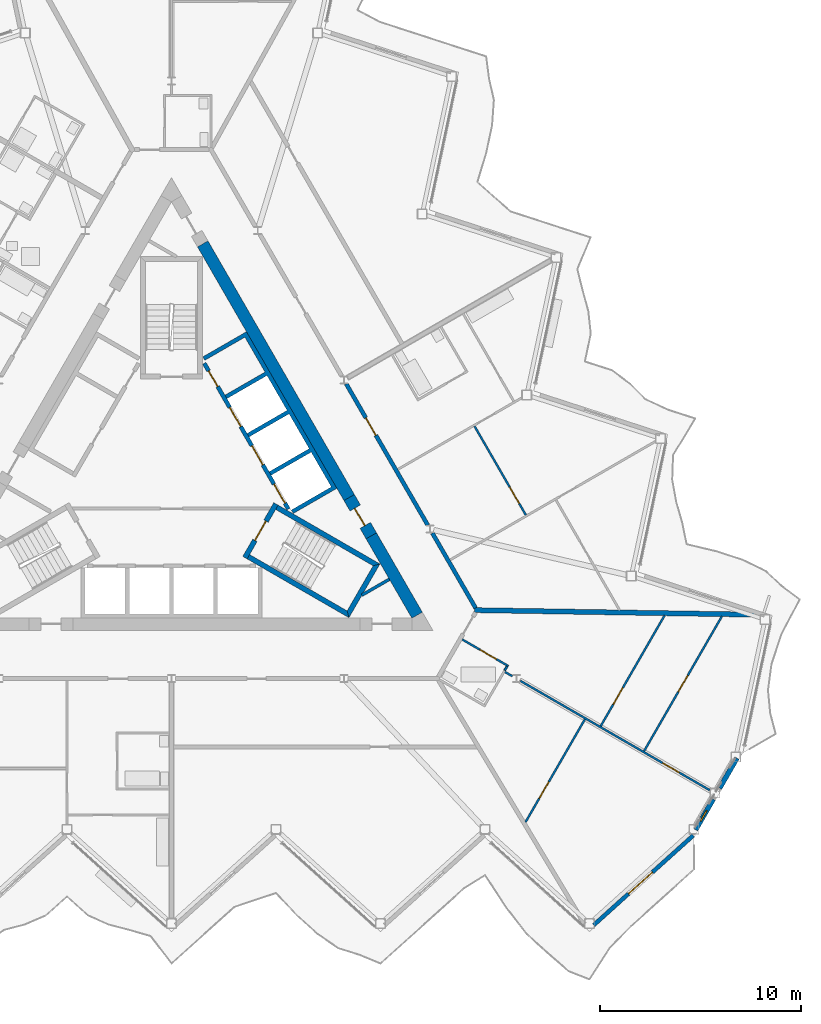
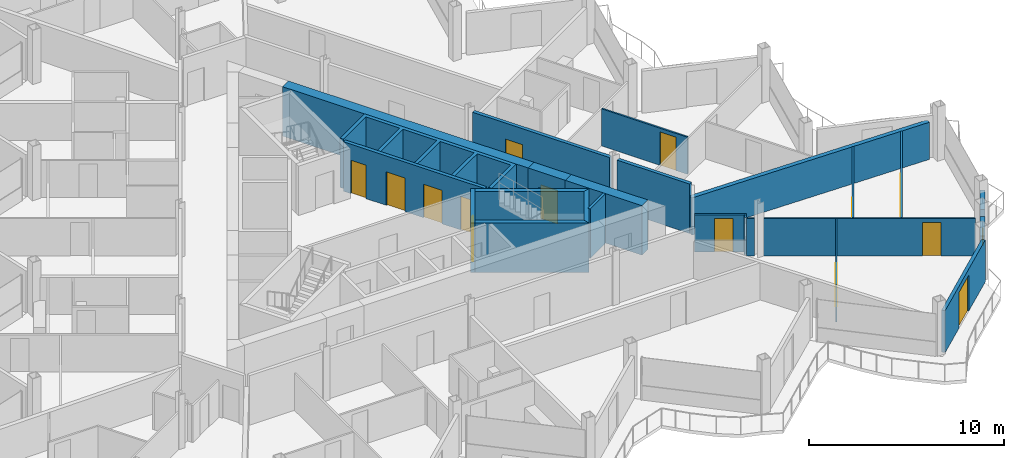
# One storey, part 15 of 26: 24 walls, 14 doors, 1 window, 15 openings.
"""IFC4 building model written with IfcOpenShell, lengths in metres."""

from ifc_helpers import new_model, si_unit, direction, frame, frame_2d, origin, place, context, subcontext, project, spatial, polyline, rectangle, outline, extrude, material, layer, layer_set, type_object, element, fill, save


model = new_model("IFC4")

# Units and contexts
model_context = context("Model", 3, precision=1e-05, world=origin(), true_north=direction((0.0, 1.0)))
body_context = subcontext(model_context, "Body", "Model", "MODEL_VIEW")
ifc_project = project(units=[si_unit("LENGTHUNIT", "METRE"), si_unit("AREAUNIT", "SQUARE_METRE"), si_unit("VOLUMEUNIT", "CUBIC_METRE"), si_unit("PLANEANGLEUNIT", "RADIAN"), si_unit("MASSUNIT", "GRAM", prefix="KILO")], contexts=[model_context])

# Site, building, storey
site_placement = place(None, origin())
site = spatial("IfcSite", under=ifc_project, at=site_placement, CompositionType="ELEMENT")
building_placement = place(site_placement, origin())
building = spatial("IfcBuilding", under=site, at=building_placement, Name="Cormorant Prow Tower", CompositionType="ELEMENT")
storey_placement = place(building_placement, frame((0.0, 0.0, 381.39990234375)))
storey = spatial("IfcBuildingStorey", under=building, at=storey_placement, Name="L86", CompositionType="ELEMENT", Elevation=381.39990234375)

# Walls
ifc_material_1 = material(Name="Gypsum board partition")
ifc_layer_1 = layer(ifc_material_1, 0.14990234375)
ifc_layer_set_1 = layer_set([ifc_layer_1], Name="Gypsum board partition")
wall_type_1 = type_object("IfcWallType", Name="Core partition 150", PredefinedType="PARTITIONING", material=ifc_layer_set_1)
wall_1_placement = place(storey_placement, frame((10.841796875, -4.96728515625, 0.0), z_axis=(0.0, 0.0, 1.0), x_axis=(-0.866098216386, -0.499873863663, 0.0)))
element("IfcWall", 1, at=wall_1_placement, inside=storey, type_object=wall_type_1, Name="Service room partition", PredefinedType="PARTITIONING", context=body_context, shape_type="SweptSolid", body=[
    extrude(rectangle(XDim=1.58203125, YDim=0.14990234375, at=frame_2d((0.791015625, 0.0))), origin(), (0.0, 0.0, 1.0), 3.10009765625),
])
ifc_material_2 = material(Name="Concrete 8000 psi", Category="concrete")
ifc_layer_2 = layer(ifc_material_2, 0.60009765625)
ifc_layer_set_2 = layer_set([ifc_layer_2], Name="Concrete 8000 psi")
wall_type_2 = type_object("IfcWallType", Name="Core shear wall 600", PredefinedType="SHEAR", material=ifc_layer_set_2)
wall_2_placement = place(storey_placement, frame((8.841064453125, -0.902099609375, 0.0), z_axis=(0.0, 0.0, 1.0), x_axis=(-0.499995618375, 0.866027933502, 0.0)))
element("IfcWall", 2, at=wall_2_placement, inside=storey, type_object=wall_type_2, Name="Core wall", PredefinedType="SHEAR", context=body_context, shape_type="SweptSolid", body=[
    extrude(rectangle(XDim=14.570556640625, YDim=0.60009765625, at=frame_2d((7.28515625, 0.0))), origin(), (0.0, 0.0, 1.0), 3.10009765625),
])
wall_3_placement = place(storey_placement, frame((12.220703125, -6.755615234375, 0.0), z_axis=(0.0, 0.0, 1.0), x_axis=(-0.500020646047, 0.866013483456, 0.0)))
element("IfcWall", 3, at=wall_3_placement, inside=storey, type_object=wall_type_2, Name="Core wall", PredefinedType="SHEAR", context=body_context, shape_type="SweptSolid", body=[
    extrude(rectangle(XDim=4.559326171875, YDim=0.60009765625, at=frame_2d((2.27978515625, 0.0))), origin(), (0.0, 0.0, 1.0), 3.10009765625),
])

# Wall, opening, door
wall_4_placement = place(storey_placement, frame((9.94091796875, -2.80712890625, 0.0), z_axis=(0.0, 0.0, 1.0), x_axis=(-0.499994660107, 0.866028486751, 0.0)))
wall_4 = element("IfcWall", 4, at=wall_4_placement, inside=storey, type_object=wall_type_2, Name="Core wall door panel", PredefinedType="SHEAR", context=body_context, shape_type="SweptSolid", body=[
    extrude(rectangle(XDim=2.19970703125, YDim=0.60009765625, at=frame_2d((1.099853515625, 0.0))), origin(), (0.0, 0.0, 1.0), 3.10009765625),
])
opening_1_placement = place(wall_4_placement, frame((0.60009765625, 0.0, 0.0)))
opening_1 = element("IfcOpeningElement", 5, at=opening_1_placement, cuts=wall_4, Name="Opening L86-C17", PredefinedType="OPENING", context=body_context, shape_type="SweptSolid", body=[
    extrude(rectangle(XDim=1.0, YDim=2.10009765625, at=frame_2d((0.5, 1.050048828125))), frame((0.0, 0.31005859375, 0.0), z_axis=(0.0, -1.0, 0.0), x_axis=(1.0, 0.0, 0.0)), (0.0, 0.0, 1.0), 0.6201171875),
])
ifc_material_3 = material(Name="Painted steel", Category="steel")
door_type_1 = type_object("IfcDoorType", Name="Service door 1000x2100", OperationType="NOTDEFINED", PredefinedType="DOOR", material=ifc_material_3)
door_1_placement = place(opening_1_placement, origin())
door_1 = element("IfcDoor", 6, at=door_1_placement, inside=storey, type_object=door_type_1, Name="Core door, Electrical room", OperationType="SINGLE_SWING_LEFT", OverallHeight=2.10009765625, OverallWidth=1.0, PredefinedType="DOOR", context=body_context, shape_type="SweptSolid", body=[
    extrude(rectangle(XDim=1.0, YDim=2.10009765625, at=frame_2d((0.5, 1.050048828125))), frame((0.0, 0.05517578125, 0.0), z_axis=(0.0, -1.0, 0.0), x_axis=(1.0, 0.0, 0.0)), (0.0, 0.0, 1.0), 0.050048828125),
])
fill(opening_1, door_1)

ifc_material_4 = material(Name="Gypsum board corridor wall")
ifc_layer_3 = layer(ifc_material_4, 0.199951171875)
ifc_layer_set_3 = layer_set([ifc_layer_3], Name="Gypsum board corridor wall")
wall_type_3 = type_object("IfcWallType", Name="Corridor wall 200", PredefinedType="PARTITIONING", material=ifc_layer_set_3)
wall_5_placement = place(storey_placement, frame((8.692138671875, 4.755859375, 0.0), z_axis=(0.0, 0.0, 1.0), x_axis=(0.500001682468, -0.866024432409, 0.0)))
wall_5 = element("IfcWall", 7, at=wall_5_placement, inside=storey, type_object=wall_type_3, Name="Corridor wall", PredefinedType="PARTITIONING", context=body_context, shape_type="SweptSolid", body=[
    extrude(rectangle(XDim=8.12353515625, YDim=0.199951171875, at=frame_2d((4.061767578125, 0.0))), origin(), (0.0, 0.0, 1.0), 3.10009765625),
])
opening_2_placement = place(wall_5_placement, frame((1.9560546875, 0.0, 0.0)))
opening_2 = element("IfcOpeningElement", 8, at=opening_2_placement, cuts=wall_5, Name="Opening L86-F16", PredefinedType="OPENING", context=body_context, shape_type="SweptSolid", body=[
    extrude(rectangle(XDim=1.0, YDim=2.10009765625, at=frame_2d((0.5, 1.050048828125))), frame((0.0, 0.10986328125, 0.0), z_axis=(0.0, -1.0, 0.0), x_axis=(1.0, 0.0, 0.0)), (0.0, 0.0, 1.0), 0.219970703125),
])
ifc_material_5 = material(Name="Timber door leaf", Category="wood")
door_type_2 = type_object("IfcDoorType", Name="Flat or room entrance door 1000x2100", OperationType="NOTDEFINED", PredefinedType="DOOR", material=ifc_material_5)
door_2_placement = place(opening_2_placement, origin())
door_2 = element("IfcDoor", 9, at=door_2_placement, inside=storey, type_object=door_type_2, Name="Living room door", OperationType="SINGLE_SWING_RIGHT", OverallHeight=2.10009765625, OverallWidth=1.0, PredefinedType="DOOR", context=body_context, shape_type="SweptSolid", body=[
    extrude(rectangle(XDim=1.0, YDim=2.10009765625, at=frame_2d((0.5, 1.050048828125))), frame((0.0, 0.02490234375, 0.0), z_axis=(0.0, -1.0, 0.0), x_axis=(1.0, 0.0, 0.0)), (0.0, 0.0, 1.0), 0.050048828125),
])
fill(opening_2, door_2)

# Wall
wall_6_placement = place(storey_placement, frame((12.9814453125, -2.67333984375, 0.0), z_axis=(0.0, 0.0, 1.0), x_axis=(0.499986217557, -0.866033360935, 0.0)))
element("IfcWall", 10, at=wall_6_placement, inside=storey, type_object=wall_type_3, Name="Corridor wall", PredefinedType="PARTITIONING", context=body_context, shape_type="SweptSolid", body=[
    extrude(rectangle(XDim=4.2998046875, YDim=0.199951171875, at=frame_2d((2.14990234375, 0.0))), origin(), (0.0, 0.0, 1.0), 3.10009765625),
])

# Wall, opening, door
ifc_material_6 = material(Name="Gypsum board partition")
ifc_layer_4 = layer(ifc_material_6, 0.10009765625)
ifc_layer_set_4 = layer_set([ifc_layer_4], Name="Gypsum board partition")
wall_type_4 = type_object("IfcWallType", Name="Internal partition 100", PredefinedType="PARTITIONING", material=ifc_layer_set_4)
wall_7_placement = place(storey_placement, frame((17.35400390625, -10.019287109375, 0.0), z_axis=(0.0, 0.0, 1.0), x_axis=(0.866019680922, -0.500009912158, 0.0)))
wall_7 = element("IfcWall", 11, at=wall_7_placement, inside=storey, type_object=wall_type_4, Name="Internal partition", PredefinedType="PARTITIONING", context=body_context, shape_type="SweptSolid", body=[
    extrude(rectangle(XDim=10.880615234375, YDim=0.10009765625, at=frame_2d((5.4404296875, 0.0))), origin(), (0.0, 0.0, 1.0), 2.330078125),
])
opening_3_placement = place(wall_7_placement, frame((8.17578125, 0.0, 0.0)))
opening_3 = element("IfcOpeningElement", 12, at=opening_3_placement, cuts=wall_7, Name="Opening L86-F14", PredefinedType="OPENING", context=body_context, shape_type="SweptSolid", body=[
    extrude(rectangle(XDim=0.949951171875, YDim=2.10009765625, at=frame_2d((0.47509765625, 1.050048828125))), frame((0.0, 0.06005859375, 0.0), z_axis=(0.0, -1.0, 0.0), x_axis=(1.0, 0.0, 0.0)), (0.0, 0.0, 1.0), 0.1201171875),
])
ifc_material_7 = material(Name="Timber door leaf", Category="wood")
door_type_3 = type_object("IfcDoorType", Name="Bathroom door 950x2100", OperationType="NOTDEFINED", PredefinedType="DOOR", material=ifc_material_7)
door_3_placement = place(opening_3_placement, origin())
door_3 = element("IfcDoor", 13, at=door_3_placement, inside=storey, type_object=door_type_3, Name="Dining room door", OperationType="SINGLE_SWING_LEFT", OverallHeight=2.10009765625, OverallWidth=0.949951171875, PredefinedType="DOOR", context=body_context, shape_type="SweptSolid", body=[
    extrude(rectangle(XDim=0.949951171875, YDim=2.10009765625, at=frame_2d((0.47509765625, 1.050048828125))), frame((0.0, 0.02490234375, 0.0), z_axis=(0.0, -1.0, 0.0), x_axis=(1.0, 0.0, 0.0)), (0.0, 0.0, 1.0), 0.050048828125),
])
fill(opening_3, door_3)

wall_8_placement = place(storey_placement, frame((23.51171875, -13.516845703125, 0.0), z_axis=(0.0, 0.0, 1.0), x_axis=(0.49998445949, 0.866034375916, 0.0)))
wall_8 = element("IfcWall", 14, at=wall_8_placement, inside=storey, type_object=wall_type_4, Name="Internal partition", PredefinedType="PARTITIONING", context=body_context, shape_type="SweptSolid", body=[
    extrude(rectangle(XDim=7.743408203125, YDim=0.10009765625, at=frame_2d((3.87158203125, 0.0))), origin(), (0.0, 0.0, 1.0), 2.330078125),
])
opening_4_placement = place(wall_8_placement, frame((3.396728515625, 0.0, 0.0)))
opening_4 = element("IfcOpeningElement", 15, at=opening_4_placement, cuts=wall_8, Name="Opening L86-F13", PredefinedType="OPENING", context=body_context, shape_type="SweptSolid", body=[
    extrude(rectangle(XDim=0.949951171875, YDim=2.10009765625, at=frame_2d((0.47509765625, 1.050048828125))), frame((0.0, 0.06005859375, 0.0), z_axis=(0.0, -1.0, 0.0), x_axis=(1.0, 0.0, 0.0)), (0.0, 0.0, 1.0), 0.1201171875),
])
door_4_placement = place(opening_4_placement, origin())
door_4 = element("IfcDoor", 16, at=door_4_placement, inside=storey, type_object=door_type_3, Name="Kitchen door", OperationType="SINGLE_SWING_LEFT", OverallHeight=2.10009765625, OverallWidth=0.949951171875, PredefinedType="DOOR", context=body_context, shape_type="SweptSolid", body=[
    extrude(rectangle(XDim=0.949951171875, YDim=2.10009765625, at=frame_2d((0.47509765625, 1.050048828125))), frame((0.0, 0.02490234375, 0.0), z_axis=(0.0, -1.0, 0.0), x_axis=(1.0, 0.0, 0.0)), (0.0, 0.0, 1.0), 0.050048828125),
])
fill(opening_4, door_4)

wall_9_placement = place(storey_placement, frame((21.3544921875, -12.271240234375, 0.0), z_axis=(0.0, 0.0, 1.0), x_axis=(0.499983931063, 0.866034680991, 0.0)))
wall_9 = element("IfcWall", 17, at=wall_9_placement, inside=storey, type_object=wall_type_4, Name="Internal partition", PredefinedType="PARTITIONING", context=body_context, shape_type="SweptSolid", body=[
    extrude(rectangle(XDim=6.358154296875, YDim=0.10009765625, at=frame_2d((3.17919921875, 0.0))), origin(), (0.0, 0.0, 1.0), 2.330078125),
])
opening_5_placement = place(wall_9_placement, frame((1.251708984375, 0.0, 0.0)))
opening_5 = element("IfcOpeningElement", 18, at=opening_5_placement, cuts=wall_9, Name="Opening L86-F12", PredefinedType="OPENING", context=body_context, shape_type="SweptSolid", body=[
    extrude(rectangle(XDim=0.949951171875, YDim=2.10009765625, at=frame_2d((0.47509765625, 1.050048828125))), frame((0.0, 0.06005859375, 0.0), z_axis=(0.0, -1.0, 0.0), x_axis=(1.0, 0.0, 0.0)), (0.0, 0.0, 1.0), 0.1201171875),
])
door_5_placement = place(opening_5_placement, origin())
door_5 = element("IfcDoor", 19, at=door_5_placement, inside=storey, type_object=door_type_3, Name="Living room door", OperationType="SINGLE_SWING_LEFT", OverallHeight=2.10009765625, OverallWidth=0.949951171875, PredefinedType="DOOR", context=body_context, shape_type="SweptSolid", body=[
    extrude(rectangle(XDim=0.949951171875, YDim=2.10009765625, at=frame_2d((0.47509765625, 1.050048828125))), frame((0.0, 0.02490234375, 0.0), z_axis=(0.0, -1.0, 0.0), x_axis=(1.0, 0.0, 0.0)), (0.0, 0.0, 1.0), 0.050048828125),
])
fill(opening_5, door_5)

wall_10_placement = place(storey_placement, frame((17.61279296875, -17.05078125, 0.0), z_axis=(0.0, 0.0, 1.0), x_axis=(0.499982307286, 0.866035618437, 0.0)))
wall_10 = element("IfcWall", 20, at=wall_10_placement, inside=storey, type_object=wall_type_4, Name="Internal partition", PredefinedType="PARTITIONING", context=body_context, shape_type="SweptSolid", body=[
    extrude(rectangle(XDim=5.909912109375, YDim=0.10009765625, at=frame_2d((2.955078125, 0.0))), origin(), (0.0, 0.0, 1.0), 2.330078125),
])
opening_6_placement = place(wall_10_placement, frame((1.364990234375, 0.0, 0.0)))
opening_6 = element("IfcOpeningElement", 21, at=opening_6_placement, cuts=wall_10, Name="Opening L86-F15", PredefinedType="OPENING", context=body_context, shape_type="SweptSolid", body=[
    extrude(rectangle(XDim=0.949951171875, YDim=2.10009765625, at=frame_2d((0.47509765625, 1.050048828125))), frame((0.0, 0.06005859375, 0.0), z_axis=(0.0, -1.0, 0.0), x_axis=(1.0, 0.0, 0.0)), (0.0, 0.0, 1.0), 0.1201171875),
])
door_6_placement = place(opening_6_placement, origin())
door_6 = element("IfcDoor", 22, at=door_6_placement, inside=storey, type_object=door_type_3, Name="Principal bedroom door", OperationType="SINGLE_SWING_LEFT", OverallHeight=2.10009765625, OverallWidth=0.949951171875, PredefinedType="DOOR", context=body_context, shape_type="SweptSolid", body=[
    extrude(rectangle(XDim=0.949951171875, YDim=2.10009765625, at=frame_2d((0.47509765625, 1.050048828125))), frame((0.0, 0.02490234375, 0.0), z_axis=(0.0, -1.0, 0.0), x_axis=(1.0, 0.0, 0.0)), (0.0, 0.0, 1.0), 0.050048828125),
])
fill(opening_6, door_6)

wall_11_placement = place(storey_placement, frame((15.07958984375, 2.64404296875, 0.0), z_axis=(0.0, 0.0, 1.0), x_axis=(0.500005610874, -0.86602216432, 0.0)))
wall_11 = element("IfcWall", 23, at=wall_11_placement, inside=storey, type_object=wall_type_4, Name="Internal partition", PredefinedType="PARTITIONING", context=body_context, shape_type="SweptSolid", body=[
    extrude(rectangle(XDim=5.10009765625, YDim=0.10009765625, at=frame_2d((2.550048828125, 0.0))), origin(), (0.0, 0.0, 1.0), 2.330078125),
])
opening_7_placement = place(wall_11_placement, frame((3.494384765625, 0.0, 0.0)))
opening_7 = element("IfcOpeningElement", 24, at=opening_7_placement, cuts=wall_11, Name="Opening L86-F20", PredefinedType="OPENING", context=body_context, shape_type="SweptSolid", body=[
    extrude(rectangle(XDim=0.949951171875, YDim=2.10009765625, at=frame_2d((0.47509765625, 1.050048828125))), frame((0.0, 0.06005859375, 0.0), z_axis=(0.0, -1.0, 0.0), x_axis=(1.0, 0.0, 0.0)), (0.0, 0.0, 1.0), 0.1201171875),
])
door_7_placement = place(opening_7_placement, origin())
door_7 = element("IfcDoor", 25, at=door_7_placement, inside=storey, type_object=door_type_3, Name="Bedroom door", OperationType="SINGLE_SWING_RIGHT", OverallHeight=2.10009765625, OverallWidth=0.949951171875, PredefinedType="DOOR", context=body_context, shape_type="SweptSolid", body=[
    extrude(rectangle(XDim=0.949951171875, YDim=2.10009765625, at=frame_2d((0.47509765625, 1.050048828125))), frame((0.0, 0.02490234375, 0.0), z_axis=(0.0, -1.0, 0.0), x_axis=(1.0, 0.0, 0.0)), (0.0, 0.0, 1.0), 0.050048828125),
])
fill(opening_7, door_7)

wall_12_placement = place(storey_placement, frame((14.467529296875, -7.963623046875, 0.0), z_axis=(0.0, 0.0, 1.0), x_axis=(0.86603978909, -0.499975083092, 0.0)))
wall_12 = element("IfcWall", 26, at=wall_12_placement, inside=storey, type_object=wall_type_4, Name="Internal partition", PredefinedType="PARTITIONING", context=body_context, shape_type="SweptSolid", body=[
    extrude(rectangle(XDim=2.649169921875, YDim=0.10009765625, at=frame_2d((1.32470703125, 0.0))), origin(), (0.0, 0.0, 1.0), 2.330078125),
])
opening_8_placement = place(wall_12_placement, frame((1.01318359375, 0.0, 0.0)))
opening_8 = element("IfcOpeningElement", 27, at=opening_8_placement, cuts=wall_12, Name="Opening L86-F11", PredefinedType="OPENING", context=body_context, shape_type="SweptSolid", body=[
    extrude(rectangle(XDim=0.949951171875, YDim=2.10009765625, at=frame_2d((0.47509765625, 1.050048828125))), frame((0.0, 0.06005859375, 0.0), z_axis=(0.0, -1.0, 0.0), x_axis=(1.0, 0.0, 0.0)), (0.0, 0.0, 1.0), 0.1201171875),
])
door_8_placement = place(opening_8_placement, origin())
door_8 = element("IfcDoor", 28, at=door_8_placement, inside=storey, type_object=door_type_3, Name="Living room door", OperationType="SINGLE_SWING_RIGHT", OverallHeight=2.10009765625, OverallWidth=0.949951171875, PredefinedType="DOOR", context=body_context, shape_type="SweptSolid", body=[
    extrude(rectangle(XDim=0.949951171875, YDim=2.10009765625, at=frame_2d((0.47509765625, 1.050048828125))), frame((0.0, 0.02490234375, 0.0), z_axis=(0.0, -1.0, 0.0), x_axis=(1.0, 0.0, 0.0)), (0.0, 0.0, 1.0), 0.050048828125),
])
fill(opening_8, door_8)

# Walls
wall_13_placement = place(storey_placement, frame((16.593994140625, -9.58056640625, 0.0), z_axis=(0.0, 0.0, 1.0), x_axis=(0.866137484628, -0.499805820016, 0.0)))
element("IfcWall", 29, at=wall_13_placement, inside=storey, type_object=wall_type_4, Name="Internal partition", PredefinedType="PARTITIONING", context=body_context, shape_type="SweptSolid", body=[
    extrude(rectangle(XDim=0.422607421875, YDim=0.10009765625, at=frame_2d((0.21142578125, 0.0))), origin(), (0.0, 0.0, 1.0), 2.330078125),
])
wall_14_placement = place(storey_placement, frame((16.581787109375, -9.501220703125, 0.0), z_axis=(0.0, 0.0, 1.0), x_axis=(0.498246276801, 0.867035551551, 0.0)))
element("IfcWall", 30, at=wall_14_placement, inside=storey, type_object=wall_type_4, Name="Internal partition", PredefinedType="PARTITIONING", context=body_context, shape_type="SweptSolid", body=[
    extrude(rectangle(XDim=0.224365234375, YDim=0.10009765625, at=frame_2d((0.1123046875, 0.0))), origin(), (0.0, 0.0, 1.0), 2.330078125),
])

# Wall, openings, doors
ifc_material_8 = material(Name="Concrete 5000 psi", Category="concrete")
ifc_layer_5 = layer(ifc_material_8, 0.199951171875)
ifc_layer_set_5 = layer_set([ifc_layer_5], Name="Concrete 5000 psi")
wall_type_5 = type_object("IfcWallType", Name="Lift lobby wall 200", PredefinedType="SOLIDWALL", material=ifc_layer_set_5)
wall_15_placement = place(storey_placement, frame((5.817138671875, -1.4755859375, 0.0), z_axis=(0.0, 0.0, 1.0), x_axis=(-0.500002616675, 0.866023893041, 0.0)))
wall_15 = element("IfcWall", 31, at=wall_15_placement, inside=storey, type_object=wall_type_5, Name="Lift lobby wall, ENE block", PredefinedType="SOLIDWALL", context=body_context, shape_type="SweptSolid", body=[
    extrude(rectangle(XDim=8.373046875, YDim=0.199951171875, at=frame_2d((4.1865234375, 0.0))), origin(), (0.0, 0.0, 1.0), 3.10009765625),
])
opening_9_placement = place(wall_15_placement, frame((0.336669921875, 0.0, 0.0)))
opening_9 = element("IfcOpeningElement", 32, at=opening_9_placement, cuts=wall_15, Name="Opening L86-C05", PredefinedType="OPENING", context=body_context, shape_type="SweptSolid", body=[
    extrude(rectangle(XDim=1.10009765625, YDim=2.10009765625, at=frame_2d((0.550048828125, 1.050048828125))), frame((0.0, 0.10986328125, 0.0), z_axis=(0.0, -1.0, 0.0), x_axis=(1.0, 0.0, 0.0)), (0.0, 0.0, 1.0), 0.219970703125),
])
opening_10_placement = place(wall_15_placement, frame((2.53662109375, 0.0, 0.0)))
opening_10 = element("IfcOpeningElement", 33, at=opening_10_placement, cuts=wall_15, Name="Opening L86-C06", PredefinedType="OPENING", context=body_context, shape_type="SweptSolid", body=[
    extrude(rectangle(XDim=1.10009765625, YDim=2.10009765625, at=frame_2d((0.550048828125, 1.050048828125))), frame((0.0, 0.10986328125, 0.0), z_axis=(0.0, -1.0, 0.0), x_axis=(1.0, 0.0, 0.0)), (0.0, 0.0, 1.0), 0.219970703125),
])
opening_11_placement = place(wall_15_placement, frame((4.736572265625, 0.0, 0.0)))
opening_11 = element("IfcOpeningElement", 34, at=opening_11_placement, cuts=wall_15, Name="Opening L86-C07", PredefinedType="OPENING", context=body_context, shape_type="SweptSolid", body=[
    extrude(rectangle(XDim=1.10009765625, YDim=2.10009765625, at=frame_2d((0.550048828125, 1.050048828125))), frame((0.0, 0.10986328125, 0.0), z_axis=(0.0, -1.0, 0.0), x_axis=(1.0, 0.0, 0.0)), (0.0, 0.0, 1.0), 0.219970703125),
])
opening_12_placement = place(wall_15_placement, frame((7.03662109375, 0.0, 0.0)))
opening_12 = element("IfcOpeningElement", 35, at=opening_12_placement, cuts=wall_15, Name="Opening L86-C08", PredefinedType="OPENING", context=body_context, shape_type="SweptSolid", body=[
    extrude(rectangle(XDim=0.89990234375, YDim=2.10009765625, at=frame_2d((0.449951171875, 1.050048828125))), frame((0.0, 0.10986328125, 0.0), z_axis=(0.0, -1.0, 0.0), x_axis=(1.0, 0.0, 0.0)), (0.0, 0.0, 1.0), 0.219970703125),
])
ifc_material_9 = material(Name="Painted steel", Category="steel")
door_type_4 = type_object("IfcDoorType", Name="Lift landing door 1100x2100", OperationType="SLIDING_TO_LEFT", PredefinedType="DOOR", material=ifc_material_9)
door_9_placement = place(opening_9_placement, origin())
door_9 = element("IfcDoor", 36, at=door_9_placement, inside=storey, type_object=door_type_4, Name="Landing door HR2", OperationType="SLIDING_TO_LEFT", OverallHeight=2.10009765625, OverallWidth=1.10009765625, PredefinedType="DOOR", context=body_context, shape_type="SweptSolid", body=[
    extrude(rectangle(XDim=1.10009765625, YDim=2.10009765625, at=frame_2d((0.550048828125, 1.050048828125))), frame((0.0, 0.02490234375, 0.0), z_axis=(0.0, -1.0, 0.0), x_axis=(1.0, 0.0, 0.0)), (0.0, 0.0, 1.0), 0.050048828125),
])
fill(opening_9, door_9)
door_10_placement = place(opening_10_placement, origin())
door_10 = element("IfcDoor", 37, at=door_10_placement, inside=storey, type_object=door_type_4, Name="Landing door HR3", OperationType="SLIDING_TO_LEFT", OverallHeight=2.10009765625, OverallWidth=1.10009765625, PredefinedType="DOOR", context=body_context, shape_type="SweptSolid", body=[
    extrude(rectangle(XDim=1.10009765625, YDim=2.10009765625, at=frame_2d((0.550048828125, 1.050048828125))), frame((0.0, 0.02490234375, 0.0), z_axis=(0.0, -1.0, 0.0), x_axis=(1.0, 0.0, 0.0)), (0.0, 0.0, 1.0), 0.050048828125),
])
fill(opening_10, door_10)
door_11_placement = place(opening_11_placement, origin())
door_11 = element("IfcDoor", 38, at=door_11_placement, inside=storey, type_object=door_type_4, Name="Landing door HR4", OperationType="SLIDING_TO_LEFT", OverallHeight=2.10009765625, OverallWidth=1.10009765625, PredefinedType="DOOR", context=body_context, shape_type="SweptSolid", body=[
    extrude(rectangle(XDim=1.10009765625, YDim=2.10009765625, at=frame_2d((0.550048828125, 1.050048828125))), frame((0.0, 0.02490234375, 0.0), z_axis=(0.0, -1.0, 0.0), x_axis=(1.0, 0.0, 0.0)), (0.0, 0.0, 1.0), 0.050048828125),
])
fill(opening_11, door_11)
ifc_material_10 = material(Name="Painted steel", Category="steel")
door_type_5 = type_object("IfcDoorType", Name="Service door 900x2100", OperationType="NOTDEFINED", PredefinedType="DOOR", material=ifc_material_10)
door_12_placement = place(opening_12_placement, origin())
door_12 = element("IfcDoor", 39, at=door_12_placement, inside=storey, type_object=door_type_5, Name="Service door, Electrical room", OperationType="SINGLE_SWING_RIGHT", OverallHeight=2.10009765625, OverallWidth=0.89990234375, PredefinedType="DOOR", context=body_context, shape_type="SweptSolid", body=[
    extrude(rectangle(XDim=0.89990234375, YDim=2.10009765625, at=frame_2d((0.449951171875, 1.050048828125))), frame((0.0, 0.02490234375, 0.0), z_axis=(0.0, -1.0, 0.0), x_axis=(1.0, 0.0, 0.0)), (0.0, 0.0, 1.0), 0.050048828125),
])
fill(opening_12, door_12)

# Walls
ifc_material_11 = material(Name="Concrete 8000 psi", Category="concrete")
ifc_layer_6 = layer(ifc_material_11, 0.199951171875)
ifc_layer_set_6 = layer_set([ifc_layer_6], Name="Concrete 8000 psi")
wall_type_6 = type_object("IfcWallType", Name="Lift shaft wall 200", PredefinedType="SHEAR", material=ifc_layer_set_6)
wall_16_placement = place(storey_placement, origin())
element("IfcWall", 40, at=wall_16_placement, inside=storey, type_object=wall_type_6, Name="Lift shaft walls, ENE block", PredefinedType="SHEAR", context=body_context, shape_type="SweptSolid", body=[
    extrude(outline(polyline([(1.560546875, 6.09716796875), (3.730712890625, 7.35009765625), (8.230712890625, -0.444091796875), (6.060546875, -1.697021484375), (5.96044921875, -1.52392578125), (7.952392578125, -0.373779296875), (6.952392578125, 1.358154296875), (4.96044921875, 0.2080078125), (4.860595703125, 0.38134765625), (6.852294921875, 1.53125), (5.852294921875, 3.263427734375), (3.860595703125, 2.11328125), (3.760498046875, 2.28662109375), (5.75244140625, 3.4365234375), (4.75244140625, 5.168701171875), (2.760498046875, 4.018798828125), (2.660400390625, 4.19189453125), (4.65234375, 5.341796875), (3.65234375, 7.073974609375), (1.660400390625, 5.923828125), (1.560546875, 6.09716796875)])), origin(), (0.0, 0.0, 1.0), 3.10009765625),
])
ifc_material_12 = material(Name="Concrete 8000 psi", Category="concrete")
ifc_layer_7 = layer(ifc_material_12, 0.25)
ifc_layer_set_7 = layer_set([ifc_layer_7], Name="Concrete 8000 psi")
wall_type_7 = type_object("IfcWallType", Name="Stair wall 250", PredefinedType="SHEAR", material=ifc_layer_set_7)
wall_17_placement = place(storey_placement, origin())
element("IfcWall", 41, at=wall_17_placement, inside=storey, type_object=wall_type_7, Name="Stair ST2 enclosure wall (flank)", PredefinedType="SHEAR", context=body_context, shape_type="SweptSolid", body=[
    extrude(outline(polyline([(3.76318359375, -3.95556640625), (8.82958984375, -6.880615234375), (8.738037109375, -6.5390625), (3.88818359375, -3.739013671875), (3.76318359375, -3.95556640625)])), origin(), (0.0, 0.0, 1.0), 3.10009765625),
])
wall_18_placement = place(storey_placement, origin())
element("IfcWall", 42, at=wall_18_placement, inside=storey, type_object=wall_type_7, Name="Stair ST2 enclosure wall (end)", PredefinedType="SHEAR", context=body_context, shape_type="SweptSolid", body=[
    extrude(outline(polyline([(8.82958984375, -6.880615234375), (10.37353515625, -4.206298828125), (10.031982421875, -4.2978515625), (8.738037109375, -6.5390625), (8.82958984375, -6.880615234375)])), origin(), (0.0, 0.0, 1.0), 3.10009765625),
])
wall_19_placement = place(storey_placement, origin())
element("IfcWall", 43, at=wall_19_placement, inside=storey, type_object=wall_type_7, Name="Stair ST2 enclosure wall (flank)", PredefinedType="SHEAR", context=body_context, shape_type="SweptSolid", body=[
    extrude(outline(polyline([(10.031982421875, -4.2978515625), (10.37353515625, -4.206298828125), (5.30712890625, -1.28125), (5.18212890625, -1.497802734375), (10.031982421875, -4.2978515625)])), origin(), (0.0, 0.0, 1.0), 3.10009765625),
])

# Wall, opening, door
wall_20_placement = place(storey_placement, frame((3.655029296875, -3.89306640625, 0.0), z_axis=(0.0, 0.0, 1.0), x_axis=(0.499982516597, 0.866035497597, 0.0)))
wall_20 = element("IfcWall", 44, at=wall_20_placement, inside=storey, type_object=wall_type_7, Name="Stair ST2 door wall", PredefinedType="SHEAR", context=body_context, shape_type="SweptSolid", body=[
    extrude(rectangle(XDim=3.087890625, YDim=0.25, at=frame_2d((1.5439453125, 0.0))), origin(), (0.0, 0.0, 1.0), 3.10009765625),
])
opening_13_placement = place(wall_20_placement, frame((0.993896484375, 0.0, 0.0)))
opening_13 = element("IfcOpeningElement", 45, at=opening_13_placement, cuts=wall_20, Name="Opening L86-C13", PredefinedType="OPENING", context=body_context, shape_type="SweptSolid", body=[
    extrude(rectangle(XDim=1.10009765625, YDim=2.10009765625, at=frame_2d((0.550048828125, 1.050048828125))), frame((0.0, 0.135009765625, 0.0), z_axis=(0.0, -1.0, 0.0), x_axis=(1.0, 0.0, 0.0)), (0.0, 0.0, 1.0), 0.27001953125),
])
ifc_material_13 = material(Name="Painted steel", Category="steel")
door_type_6 = type_object("IfcDoorType", Name="Stair door 1100x2100", OperationType="NOTDEFINED", PredefinedType="DOOR", material=ifc_material_13)
door_13_placement = place(opening_13_placement, origin())
door_13 = element("IfcDoor", 46, at=door_13_placement, inside=storey, type_object=door_type_6, Name="Stair ST2 door", OperationType="SINGLE_SWING_RIGHT", OverallHeight=2.10009765625, OverallWidth=1.10009765625, PredefinedType="DOOR", context=body_context, shape_type="SweptSolid", body=[
    extrude(rectangle(XDim=1.10009765625, YDim=2.10009765625, at=frame_2d((0.550048828125, 1.050048828125))), frame((0.0, 0.02490234375, 0.0), z_axis=(0.0, -1.0, 0.0), x_axis=(1.0, 0.0, 0.0)), (0.0, 0.0, 1.0), 0.050048828125),
])
fill(opening_13, door_13)

# Wall
ifc_material_14 = material(Name="Acoustic gypsum party wall")
ifc_layer_8 = layer(ifc_material_14, 0.25)
ifc_layer_set_8 = layer_set([ifc_layer_8], Name="Acoustic gypsum party wall")
wall_type_8 = type_object("IfcWallType", Name="Suite party wall 250", PredefinedType="PARTITIONING", material=ifc_layer_set_8)
wall_21_placement = place(storey_placement, frame((15.06884765625, -6.50341796875, 0.0), z_axis=(0.0, 0.0, 1.0), x_axis=(0.999870484296, -0.016093931549, 0.0)))
element("IfcWall", 47, at=wall_21_placement, inside=storey, type_object=wall_type_8, Name="Suite party wall", PredefinedType="PARTITIONING", context=body_context, shape_type="SweptSolid", body=[
    extrude(rectangle(XDim=13.9560546875, YDim=0.25, at=frame_2d((6.97802734375, 0.0))), origin(), (0.0, 0.0, 1.0), 2.330078125),
])

# Wall, opening, window
ifc_material_15 = material(Name="Terracotta", Category="masonry")
ifc_layer_9 = layer(ifc_material_15, 0.25)
ifc_layer_set_9 = layer_set([ifc_layer_9], Name="Terracotta")
wall_type_9 = type_object("IfcWallType", Name="Terracotta bay wall 250", PredefinedType="SOLIDWALL", material=ifc_layer_set_9)
wall_22_placement = place(storey_placement, frame((26.07470703125, -17.43017578125, 0.0), z_axis=(0.0, 0.0, 1.0), x_axis=(0.500027377864, 0.86600959659, 0.0)))
wall_22 = element("IfcWall", 48, at=wall_22_placement, inside=storey, type_object=wall_type_9, Name="Terracotta bay wall ESE00", PredefinedType="SOLIDWALL", context=body_context, shape_type="SweptSolid", body=[
    extrude(rectangle(XDim=1.755859375, YDim=0.25, at=frame_2d((0.8779296875, 0.0))), origin(), (0.0, 0.0, 1.0), 2.634033203125),
])
opening_14_placement = place(wall_22_placement, frame((0.5, 0.0, 1.699951171875)))
opening_14 = element("IfcOpeningElement", 49, at=opening_14_placement, cuts=wall_22, Name="Opening WN11", PredefinedType="OPENING", context=body_context, shape_type="SweptSolid", body=[
    extrude(rectangle(XDim=0.60009765625, YDim=0.699951171875, at=frame_2d((0.300048828125, 0.35009765625))), frame((0.0, 0.135009765625, 0.0), z_axis=(0.0, -1.0, 0.0), x_axis=(1.0, 0.0, 0.0)), (0.0, 0.0, 1.0), 0.27001953125),
])
ifc_material_16 = material(Name="Aluminium 6063-T6", Category="aluminium")
window_type = type_object("IfcWindowType", Name="Corner bay window 600x700", PartitioningType="SINGLE_PANEL", PredefinedType="WINDOW", material=ifc_material_16)
window_placement = place(opening_14_placement, origin())
window = element("IfcWindow", 50, at=window_placement, inside=storey, type_object=window_type, Name="Corner bay window ESE00", OverallHeight=0.699951171875, OverallWidth=0.60009765625, PartitioningType="SINGLE_PANEL", PredefinedType="WINDOW", context=body_context, shape_type="SweptSolid", body=[
    extrude(rectangle(XDim=0.60009765625, YDim=0.699951171875, at=frame_2d((0.300048828125, 0.35009765625))), frame((0.0, 0.030029296875, 0.0), z_axis=(0.0, -1.0, 0.0), x_axis=(1.0, 0.0, 0.0)), (0.0, 0.0, 1.0), 0.06005859375),
])
fill(opening_14, window)

# Wall
wall_23_placement = place(storey_placement, frame((27.27001953125, -15.35986328125, 0.0), z_axis=(0.0, 0.0, 1.0), x_axis=(0.499975693202, 0.866039436866, 0.0)))
element("IfcWall", 51, at=wall_23_placement, inside=storey, type_object=wall_type_9, Name="Terracotta bay wall ESE01", PredefinedType="SOLIDWALL", context=body_context, shape_type="SweptSolid", body=[
    extrude(rectangle(XDim=1.724609375, YDim=0.25, at=frame_2d((0.8623046875, 0.0))), origin(), (0.0, 0.0, 1.0), 2.634033203125),
])

# Wall, opening, door
ifc_material_17 = material(Name="Terracotta", Category="masonry")
ifc_layer_10 = layer(ifc_material_17, 0.199951171875)
ifc_layer_set_10 = layer_set([ifc_layer_10], Name="Terracotta")
wall_type_10 = type_object("IfcWallType", Name="Terracotta jamb wall 200", PredefinedType="SOLIDWALL", material=ifc_layer_set_10)
wall_24_placement = place(storey_placement, frame((21.005126953125, -22.172607421875, 0.0), z_axis=(0.0, 0.0, 1.0), x_axis=(0.743135582201, 0.669140871915, 0.0)))
wall_24 = element("IfcWall", 52, at=wall_24_placement, inside=storey, type_object=wall_type_10, Name="Terracotta jamb wall S09", PredefinedType="SOLIDWALL", context=body_context, shape_type="SweptSolid", body=[
    extrude(rectangle(XDim=6.66162109375, YDim=0.199951171875, at=frame_2d((3.330810546875, 0.0))), origin(), (0.0, 0.0, 1.0), 2.634033203125),
])
opening_15_placement = place(wall_24_placement, frame((2.332763671875, 0.0, 0.0)))
opening_15 = element("IfcOpeningElement", 53, at=opening_15_placement, cuts=wall_24, Name="Opening ED86.05", PredefinedType="OPENING", context=body_context, shape_type="SweptSolid", body=[
    extrude(rectangle(XDim=1.60009765625, YDim=2.25, at=frame_2d((0.800048828125, 1.125))), frame((0.0, 0.10986328125, 0.0), z_axis=(0.0, -1.0, 0.0), x_axis=(1.0, 0.0, 0.0)), (0.0, 0.0, 1.0), 0.219970703125),
])
ifc_material_18 = material(Name="Aluminium 6063-T6", Category="aluminium")
door_type_7 = type_object("IfcDoorType", Name="Balcony door 1600x2250", OperationType="DOUBLE_DOOR_SINGLE_SWING", PredefinedType="DOOR", material=ifc_material_18)
door_14_placement = place(opening_15_placement, origin())
door_14 = element("IfcDoor", 54, at=door_14_placement, inside=storey, type_object=door_type_7, Name="Balcony door S09 ED86.05", OperationType="DOUBLE_DOOR_SINGLE_SWING", OverallHeight=2.25, OverallWidth=1.60009765625, PredefinedType="DOOR", context=body_context, shape_type="SweptSolid", body=[
    extrude(rectangle(XDim=1.60009765625, YDim=2.25, at=frame_2d((0.800048828125, 1.125))), frame((0.0, 0.02490234375, 0.0), z_axis=(0.0, -1.0, 0.0), x_axis=(1.0, 0.0, 0.0)), (0.0, 0.0, 1.0), 0.050048828125),
])
fill(opening_15, door_14)

save(model, "model.ifc")
